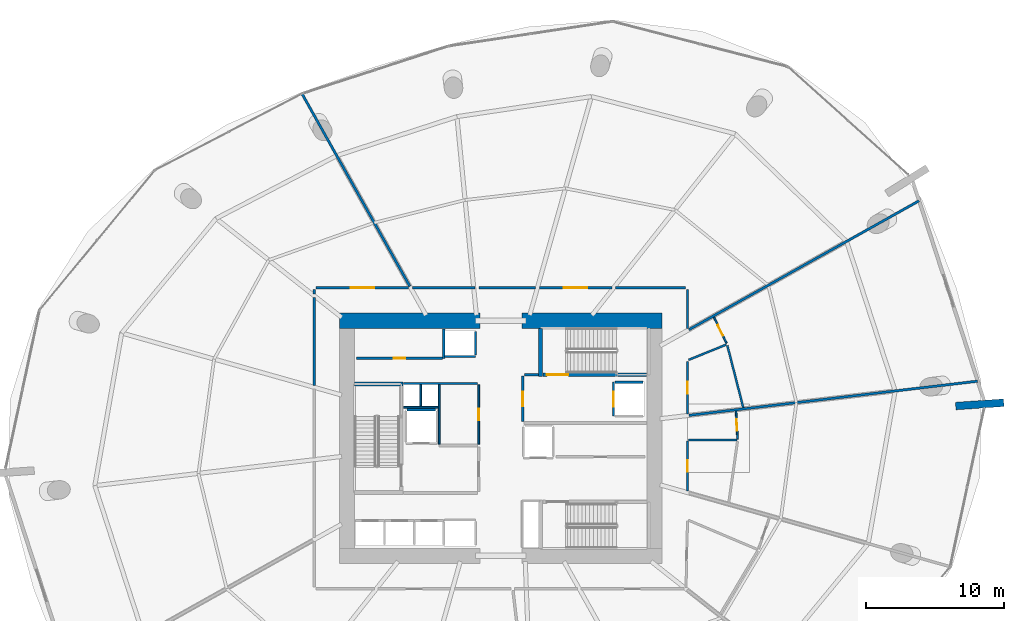
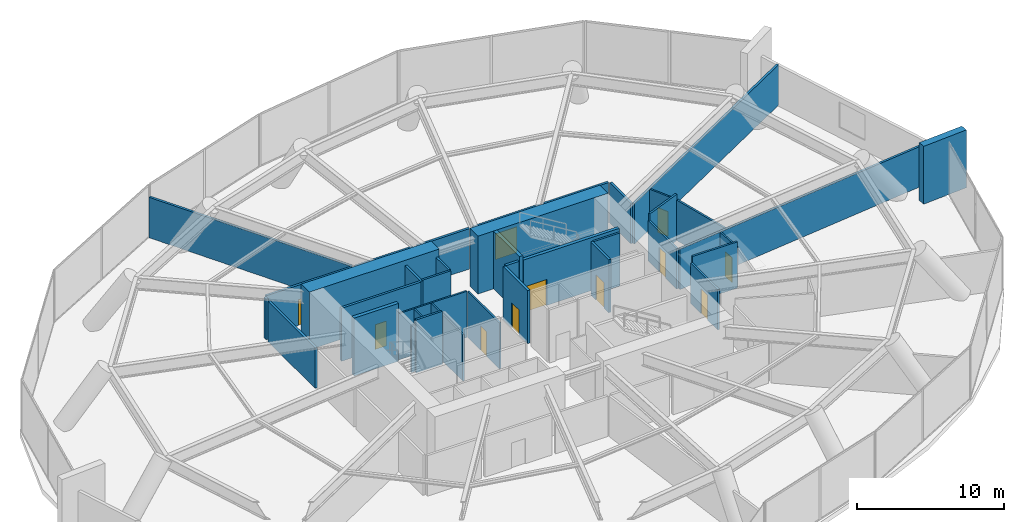
# One storey, part 18 of 21: 38 walls, 11 doors, 11 openings.
"""IFC4 building model written with IfcOpenShell, lengths in metres."""

from ifc_helpers import new_model, si_unit, direction, frame, frame_2d, origin, place, context, subcontext, project, spatial, rectangle, extrude, material, layer, layer_set, type_object, element, fill, save


model = new_model("IFC4")

# Units and contexts
model_context = context("Model", 3, precision=1e-05, world=origin(), true_north=direction((0.0, 1.0)))
body_context = subcontext(model_context, "Body", "Model", "MODEL_VIEW")
ifc_project = project(units=[si_unit("LENGTHUNIT", "METRE"), si_unit("AREAUNIT", "SQUARE_METRE"), si_unit("VOLUMEUNIT", "CUBIC_METRE"), si_unit("PLANEANGLEUNIT", "RADIAN"), si_unit("MASSUNIT", "GRAM", prefix="KILO")], contexts=[model_context])

# Site, building, storey
site_placement = place(None, origin())
site = spatial("IfcSite", under=ifc_project, at=site_placement, CompositionType="ELEMENT")
building_placement = place(site_placement, origin())
building = spatial("IfcBuilding", under=site, at=building_placement, Name="Kazma Halo Residences", CompositionType="ELEMENT")
storey_placement = place(building_placement, frame((0.0, 0.0, 21.60009765625)))
storey = spatial("IfcBuildingStorey", under=building, at=storey_placement, Name="L04", CompositionType="ELEMENT", Elevation=21.60009765625)

# Walls
ifc_material_1 = material(Name="Pale Concrete C60/75", Category="concrete")
ifc_layer_1 = layer(ifc_material_1, 0.550048828125)
ifc_layer_set_1 = layer_set([ifc_layer_1], Name="Pale Concrete C60/75")
wall_type_1 = type_object("IfcWallType", Name="WL-BLADE-550", PredefinedType="SOLIDWALL", material=ifc_layer_set_1)
wall_1_placement = place(storey_placement, frame((81.502685546875, 44.3427734375, 0.0), z_axis=(0.0, 0.0, 1.0), x_axis=(0.997564163539, 0.069754853754, 0.0)))
element("IfcWall", 1, at=wall_1_placement, inside=storey, type_object=wall_type_1, Name="L04 pale concrete structural blade fin wall BW-04", PredefinedType="SOLIDWALL", context=body_context, shape_type="SweptSolid", body=[
    extrude(rectangle(XDim=3.5, YDim=0.550048828125, at=frame_2d((1.75, 0.0))), origin(), (0.0, 0.0, 1.0), 4.7998046875),
])
ifc_material_2 = material(Name="Concrete C80/95", Category="concrete")
ifc_layer_2 = layer(ifc_material_2, 1.10009765625)
ifc_layer_set_2 = layer_set([ifc_layer_2], Name="Concrete C80/95")
wall_type_2 = type_object("IfcWallType", Name="WL-CORE-1100", PredefinedType="SHEAR", material=ifc_layer_set_2)
for number, where, z_axis, x_axis, name in (
    (2, (36.699951171875, 50.550048828125, 0.0), (0.0, 0.0, 1.0), (1.0, 0.0, 0.0), "L04 central core shear wall NW"),
    (3, (49.949951171875, 50.550048828125, 0.0), (0.0, 0.0, 1.0), (1.0, 0.0, 0.0), "L04 central core shear wall NE"),
):
    element("IfcWall", number, at=place(storey_placement, frame(where, z_axis=z_axis, x_axis=x_axis)), inside=storey, type_object=wall_type_2, Name=name, PredefinedType="SHEAR", context=body_context, shape_type="SweptSolid", body=[
        extrude(rectangle(XDim=10.199951171875, YDim=1.10009765625, at=frame_2d((5.10009765625, 0.0))), origin(), (0.0, 0.0, 1.0), 4.7998046875),
    ])
ifc_material_3 = material(Name="Concrete C60/75", Category="concrete")
ifc_layer_3 = layer(ifc_material_3, 0.280029296875)
ifc_layer_set_3 = layer_set([ifc_layer_3], Name="Concrete C60/75")
wall_type_3 = type_object("IfcWallType", Name="WL-CORE-ST-280", PredefinedType="SHEAR", material=ifc_layer_set_3)
for number, where, z_axis, x_axis, name in (
    (4, (37.800048828125, 45.93994140625, 0.0), (0.0, 0.0, 1.0), (1.0, 0.0, 0.0), "L04 stairwell bearing wall ST01-N"),
    (5, (51.31005859375, 46.5, 0.0), (0.0, 0.0, 1.0), (0.0, 1.0, 0.0), "L04 stairwell bearing wall ST02-W"),
):
    element("IfcWall", number, at=place(storey_placement, frame(where, z_axis=z_axis, x_axis=x_axis)), inside=storey, type_object=wall_type_3, Name=name, PredefinedType="SHEAR", context=body_context, shape_type="SweptSolid", body=[
        extrude(rectangle(XDim=3.5, YDim=0.280029296875, at=frame_2d((1.75, 0.0))), origin(), (0.0, 0.0, 1.0), 4.7998046875),
    ])
ifc_material_4 = material(Name="Acoustic Twin-Stud Gypsum")
ifc_layer_4 = layer(ifc_material_4, 0.179931640625)
ifc_layer_set_4 = layer_set([ifc_layer_4], Name="Acoustic Twin-Stud Gypsum")
wall_type_4 = type_object("IfcWallType", Name="WL-DEM-180", PredefinedType="PARTITIONING", material=ifc_layer_set_4)
wall_2_placement = place(storey_placement, frame((62.0, 49.98046875, 0.0), z_axis=(0.0, 0.0, 1.0), x_axis=(0.0, 1.0, 0.0)))
element("IfcWall", 6, at=wall_2_placement, inside=storey, type_object=wall_type_4, Name="L04 Library Reading Lounge corridor wall", PredefinedType="PARTITIONING", context=body_context, shape_type="SweptSolid", body=[
    extrude(rectangle(XDim=2.82958984375, YDim=0.179931640625, at=frame_2d((1.414794921875, 0.0))), origin(), (0.0, 0.0, 1.0), 3.35693359375),
])
wall_3_placement = place(storey_placement, frame((61.860107421875, 52.949951171875, 0.0), z_axis=(0.0, 0.0, 1.0), x_axis=(-1.0, 0.0, 0.0)))
element("IfcWall", 7, at=wall_3_placement, inside=storey, type_object=wall_type_4, Name="L04 Library Reading Lounge corridor wall", PredefinedType="PARTITIONING", context=body_context, shape_type="SweptSolid", body=[
    extrude(rectangle(XDim=5.087890625, YDim=0.179931640625, at=frame_2d((2.5439453125, 0.0))), origin(), (0.0, 0.0, 1.0), 3.35693359375),
])

# Wall, opening, door
wall_4_placement = place(storey_placement, frame((56.4921875, 52.949951171875, 0.0), z_axis=(0.0, 0.0, 1.0), x_axis=(-1.0, 0.0, 0.0)))
wall_4 = element("IfcWall", 8, at=wall_4_placement, inside=storey, type_object=wall_type_4, Name="L04 Library Reading Lounge corridor wall", PredefinedType="PARTITIONING", context=body_context, shape_type="SweptSolid", body=[
    extrude(rectangle(XDim=5.263916015625, YDim=0.179931640625, at=frame_2d((2.6318359375, 0.0))), origin(), (0.0, 0.0, 1.0), 3.35693359375),
])
opening_1_placement = place(wall_4_placement, frame((1.781982421875, 0.0, 0.0)))
opening_1 = element("IfcOpeningElement", 9, at=opening_1_placement, cuts=wall_4, Name="Opening DL-1800", PredefinedType="OPENING", context=body_context, shape_type="SweptSolid", body=[
    extrude(rectangle(XDim=1.699951171875, YDim=2.14990234375, at=frame_2d((0.85009765625, 1.074951171875))), frame((0.0, 0.099853515625, 0.0), z_axis=(0.0, -1.0, 0.0), x_axis=(1.0, 0.0, 0.0)), (0.0, 0.0, 1.0), 0.199951171875),
])
ifc_material_5 = material(Name="Glazed Aluminium Double Leaf", Category="aluminium")
door_type_1 = type_object("IfcDoorType", Name="DR-LGE-1800", OperationType="NOTDEFINED", PredefinedType="DOOR", material=ifc_material_5)
door_1_placement = place(opening_1_placement, origin())
door_1 = element("IfcDoor", 10, at=door_1_placement, inside=storey, type_object=door_type_1, Name="L04 Library Reading Lounge entrance door", OperationType="DOUBLE_DOOR_SINGLE_SWING", OverallHeight=2.14990234375, OverallWidth=1.699951171875, PredefinedType="DOOR", context=body_context, shape_type="SweptSolid", body=[
    extrude(rectangle(XDim=1.699951171875, YDim=2.14990234375, at=frame_2d((0.85009765625, 1.074951171875))), frame((0.0, 0.02490234375, 0.0), z_axis=(0.0, -1.0, 0.0), x_axis=(1.0, 0.0, 0.0)), (0.0, 0.0, 1.0), 0.050048828125),
])
fill(opening_1, door_1)

# Walls
wall_5_placement = place(storey_placement, frame((50.9482421875, 52.949951171875, 0.0), z_axis=(0.0, 0.0, 1.0), x_axis=(-1.0, 0.0, 0.0)))
element("IfcWall", 11, at=wall_5_placement, inside=storey, type_object=wall_type_4, Name="L04 Library Reading Lounge corridor wall", PredefinedType="PARTITIONING", context=body_context, shape_type="SweptSolid", body=[
    extrude(rectangle(XDim=4.104248046875, YDim=0.179931640625, at=frame_2d((2.05224609375, 0.0))), origin(), (0.0, 0.0, 1.0), 3.35693359375),
])
wall_6_placement = place(storey_placement, frame((46.56396484375, 52.949951171875, 0.0), z_axis=(0.0, 0.0, 1.0), x_axis=(-1.0, 0.0, 0.0)))
element("IfcWall", 12, at=wall_6_placement, inside=storey, type_object=wall_type_4, Name="L04 Library Reading Lounge corridor wall", PredefinedType="PARTITIONING", context=body_context, shape_type="SweptSolid", body=[
    extrude(rectangle(XDim=4.55615234375, YDim=0.179931640625, at=frame_2d((2.278076171875, 0.0))), origin(), (0.0, 0.0, 1.0), 3.35693359375),
])
wall_7_placement = place(storey_placement, frame((62.095947265625, 49.89404296875, 0.0), z_axis=(0.0, 0.0, 1.0), x_axis=(0.872490608205, 0.488630881744, 0.0)))
element("IfcWall", 13, at=wall_7_placement, inside=storey, type_object=wall_type_4, Name="L04 radial partition wall 00", PredefinedType="PARTITIONING", context=body_context, shape_type="SweptSolid", body=[
    extrude(rectangle(XDim=19.184814453125, YDim=0.179931640625, at=frame_2d((9.59228515625, 0.0))), origin(), (0.0, 0.0, 1.0), 3.35693359375),
])
wall_8_placement = place(storey_placement, frame((41.81396484375, 53.0458984375, 0.0), z_axis=(0.0, 0.0, 1.0), x_axis=(-0.48862053439, 0.872496403071, 0.0)))
element("IfcWall", 14, at=wall_8_placement, inside=storey, type_object=wall_type_4, Name="L04 radial partition wall 04", PredefinedType="PARTITIONING", context=body_context, shape_type="SweptSolid", body=[
    extrude(rectangle(XDim=16.0244140625, YDim=0.179931640625, at=frame_2d((8.01220703125, 0.0))), origin(), (0.0, 0.0, 1.0), 3.35693359375),
])

# Wall, opening, door
wall_9_placement = place(storey_placement, frame((41.727783203125, 52.949951171875, 0.0), z_axis=(0.0, 0.0, 1.0), x_axis=(-1.0, 0.0, 0.0)))
wall_9 = element("IfcWall", 15, at=wall_9_placement, inside=storey, type_object=wall_type_4, Name="L04 Executive Co-Working Office corridor wall", PredefinedType="PARTITIONING", context=body_context, shape_type="SweptSolid", body=[
    extrude(rectangle(XDim=6.73779296875, YDim=0.179931640625, at=frame_2d((3.368896484375, 0.0))), origin(), (0.0, 0.0, 1.0), 3.35693359375),
])
opening_2_placement = place(wall_9_placement, frame((2.518798828125, 0.0, 0.0)))
opening_2 = element("IfcOpeningElement", 16, at=opening_2_placement, cuts=wall_9, Name="Opening DL-1800", PredefinedType="OPENING", context=body_context, shape_type="SweptSolid", body=[
    extrude(rectangle(XDim=1.699951171875, YDim=2.14990234375, at=frame_2d((0.85009765625, 1.074951171875))), frame((0.0, 0.099853515625, 0.0), z_axis=(0.0, -1.0, 0.0), x_axis=(1.0, 0.0, 0.0)), (0.0, 0.0, 1.0), 0.199951171875),
])
door_2_placement = place(opening_2_placement, origin())
door_2 = element("IfcDoor", 17, at=door_2_placement, inside=storey, type_object=door_type_1, Name="L04 Executive Co-Working Office entrance door", OperationType="DOUBLE_DOOR_SINGLE_SWING", OverallHeight=2.14990234375, OverallWidth=1.699951171875, PredefinedType="DOOR", context=body_context, shape_type="SweptSolid", body=[
    extrude(rectangle(XDim=1.699951171875, YDim=2.14990234375, at=frame_2d((0.85009765625, 1.074951171875))), frame((0.0, 0.02490234375, 0.0), z_axis=(0.0, -1.0, 0.0), x_axis=(1.0, 0.0, 0.0)), (0.0, 0.0, 1.0), 0.050048828125),
])
fill(opening_2, door_2)

# Walls
wall_10_placement = place(storey_placement, frame((34.85009765625, 52.81005859375, 0.0), z_axis=(0.0, 0.0, 1.0), x_axis=(0.0, -1.0, 0.0)))
element("IfcWall", 18, at=wall_10_placement, inside=storey, type_object=wall_type_4, Name="L04 Executive Co-Working Office corridor wall", PredefinedType="PARTITIONING", context=body_context, shape_type="SweptSolid", body=[
    extrude(rectangle(XDim=0.303466796875, YDim=0.179931640625, at=frame_2d((0.15185546875, 0.0))), origin(), (0.0, 0.0, 1.0), 3.35693359375),
])
wall_11_placement = place(storey_placement, frame((34.85009765625, 52.2265625, 0.0), z_axis=(0.0, 0.0, 1.0), x_axis=(0.0, -1.0, 0.0)))
element("IfcWall", 19, at=wall_11_placement, inside=storey, type_object=wall_type_4, Name="L04 Executive Co-Working Office corridor wall", PredefinedType="PARTITIONING", context=body_context, shape_type="SweptSolid", body=[
    extrude(rectangle(XDim=6.3779296875, YDim=0.179931640625, at=frame_2d((3.18896484375, 0.0))), origin(), (0.0, 0.0, 1.0), 3.35693359375),
])
wall_12_placement = place(storey_placement, frame((62.109130859375, 43.669921875, 0.0), z_axis=(0.0, 0.0, 1.0), x_axis=(0.993068665713, 0.117535633659, 0.0)))
element("IfcWall", 20, at=wall_12_placement, inside=storey, type_object=wall_type_4, Name="L04 radial partition wall 15", PredefinedType="PARTITIONING", context=body_context, shape_type="SweptSolid", body=[
    extrude(rectangle(XDim=21.133056640625, YDim=0.179931640625, at=frame_2d((10.56640625, 0.0))), origin(), (0.0, 0.0, 1.0), 3.35693359375),
])
ifc_material_6 = material(Name="Fire-Rated Blockwork Masonry", Category="masonry")
ifc_layer_5 = layer(ifc_material_6, 0.199951171875)
ifc_layer_set_5 = layer_set([ifc_layer_5], Name="Fire-Rated Blockwork Masonry")
wall_type_5 = type_object("IfcWallType", Name="WL-FLB-200", PredefinedType="PARTITIONING", material=ifc_layer_set_5)
wall_13_placement = place(storey_placement, frame((46.580078125, 47.945068359375, 0.0), z_axis=(0.0, 0.0, 1.0), x_axis=(-1.0, 0.0, 0.0)))
element("IfcWall", 21, at=wall_13_placement, inside=storey, type_object=wall_type_5, Name="L04 lift shaft PX-01 front wall", PredefinedType="PARTITIONING", context=body_context, shape_type="SweptSolid", body=[
    extrude(rectangle(XDim=2.260009765625, YDim=0.159912109375, at=frame_2d((1.1298828125, 0.0))), origin(), (0.0, 0.0, 1.0), 4.39990234375),
])
wall_14_placement = place(storey_placement, frame((46.580078125, 48.044921875, 0.0), z_axis=(0.0, 0.0, 1.0), x_axis=(0.0, 1.0, 0.0)))
element("IfcWall", 22, at=wall_14_placement, inside=storey, type_object=wall_type_5, Name="L04 lift shaft PX-01 side wall E", PredefinedType="PARTITIONING", context=body_context, shape_type="SweptSolid", body=[
    extrude(rectangle(XDim=1.7099609375, YDim=0.159912109375, at=frame_2d((0.85498046875, 0.0))), origin(), (0.0, 0.0, 1.0), 4.39990234375),
])
wall_15_placement = place(storey_placement, frame((41.6201171875, 44.080078125, 0.0), z_axis=(0.0, 0.0, 1.0), x_axis=(1.0, 0.0, 0.0)))
element("IfcWall", 23, at=wall_15_placement, inside=storey, type_object=wall_type_5, Name="L04 lift shaft FL-01 side wall N", PredefinedType="PARTITIONING", context=body_context, shape_type="SweptSolid", body=[
    extrude(rectangle(XDim=2.059814453125, YDim=0.159912109375, at=frame_2d((1.02978515625, 0.0))), origin(), (0.0, 0.0, 1.0), 4.39990234375),
])

# Wall, opening, door
wall_16_placement = place(storey_placement, frame((56.6201171875, 46.080078125, 0.0), z_axis=(0.0, 0.0, 1.0), x_axis=(0.0, -1.0, 0.0)))
wall_16 = element("IfcWall", 24, at=wall_16_placement, inside=storey, type_object=wall_type_5, Name="L04 lift shaft FL-02 front wall", PredefinedType="PARTITIONING", context=body_context, shape_type="SweptSolid", body=[
    extrude(rectangle(XDim=2.4599609375, YDim=0.159912109375, at=frame_2d((1.22998046875, 0.0))), origin(), (0.0, 0.0, 1.0), 4.39990234375),
])
opening_3_placement = place(wall_16_placement, frame((0.679931640625, 0.0, 0.0)))
opening_3 = element("IfcOpeningElement", 25, at=opening_3_placement, cuts=wall_16, Name="Opening LD-FL-02", PredefinedType="OPENING", context=body_context, shape_type="SweptSolid", body=[
    extrude(rectangle(XDim=1.10009765625, YDim=2.10009765625, at=frame_2d((0.550048828125, 1.050048828125))), frame((0.0, 0.08984375, 0.0), z_axis=(0.0, -1.0, 0.0), x_axis=(1.0, 0.0, 0.0)), (0.0, 0.0, 1.0), 0.179931640625),
])
ifc_material_7 = material(Name="Stainless Steel Fire-Rated", Category="steel")
door_type_2 = type_object("IfcDoorType", Name="DR-LIFT-SLD-1100", OperationType="DOUBLE_DOOR_SLIDING", PredefinedType="DOOR", material=ifc_material_7)
door_3_placement = place(opening_3_placement, origin())
door_3 = element("IfcDoor", 26, at=door_3_placement, inside=storey, type_object=door_type_2, Name="L04 lift FL-02 sliding landing door", OperationType="DOUBLE_DOOR_SLIDING", OverallHeight=2.10009765625, OverallWidth=1.10009765625, PredefinedType="DOOR", context=body_context, shape_type="SweptSolid", body=[
    extrude(rectangle(XDim=1.10009765625, YDim=2.10009765625, at=frame_2d((0.550048828125, 1.050048828125))), frame((0.0, 0.02490234375, 0.0), z_axis=(0.0, -1.0, 0.0), x_axis=(1.0, 0.0, 0.0)), (0.0, 0.0, 1.0), 0.050048828125),
])
fill(opening_3, door_3)

# Wall
wall_17_placement = place(storey_placement, frame((56.719970703125, 46.080078125, 0.0), z_axis=(0.0, 0.0, 1.0), x_axis=(1.0, 0.0, 0.0)))
element("IfcWall", 27, at=wall_17_placement, inside=storey, type_object=wall_type_5, Name="L04 lift shaft FL-02 side wall N", PredefinedType="PARTITIONING", context=body_context, shape_type="SweptSolid", body=[
    extrude(rectangle(XDim=2.06005859375, YDim=0.159912109375, at=frame_2d((1.030029296875, 0.0))), origin(), (0.0, 0.0, 1.0), 4.39990234375),
])

# Wall, opening, door
wall_18_placement = place(storey_placement, frame((37.919921875, 47.820068359375, 0.0), z_axis=(0.0, 0.0, 1.0), x_axis=(1.0, 0.0, 0.0)))
wall_18 = element("IfcWall", 28, at=wall_18_placement, inside=storey, type_object=wall_type_5, Name="L04 core north reserve wall", PredefinedType="PARTITIONING", context=body_context, shape_type="SweptSolid", body=[
    extrude(rectangle(XDim=6.260009765625, YDim=0.179931640625, at=frame_2d((3.1298828125, 0.0))), origin(), (0.0, 0.0, 1.0), 4.39990234375),
])
opening_4_placement = place(wall_18_placement, frame((2.705078125, 0.0, 0.0)))
opening_4 = element("IfcOpeningElement", 29, at=opening_4_placement, cuts=wall_18, Name="Opening DS-850", PredefinedType="OPENING", context=body_context, shape_type="SweptSolid", body=[
    extrude(rectangle(XDim=0.85009765625, YDim=2.06005859375, at=frame_2d((0.425048828125, 1.030029296875))), frame((0.0, 0.099853515625, 0.0), z_axis=(0.0, -1.0, 0.0), x_axis=(1.0, 0.0, 0.0)), (0.0, 0.0, 1.0), 0.199951171875),
])
ifc_material_8 = material(Name="Painted Steel Access Leaf", Category="steel")
door_type_3 = type_object("IfcDoorType", Name="DR-SVC-850", OperationType="NOTDEFINED", PredefinedType="DOOR", material=ifc_material_8)
door_4_placement = place(opening_4_placement, origin())
door_4 = element("IfcDoor", 30, at=door_4_placement, inside=storey, type_object=door_type_3, Name="L04 core north reserve door", OperationType="SINGLE_SWING_RIGHT", OverallHeight=2.06005859375, OverallWidth=0.85009765625, PredefinedType="DOOR", context=body_context, shape_type="SweptSolid", body=[
    extrude(rectangle(XDim=0.85009765625, YDim=2.06005859375, at=frame_2d((0.425048828125, 1.030029296875))), frame((0.0, 0.02490234375, 0.0), z_axis=(0.0, -1.0, 0.0), x_axis=(1.0, 0.0, 0.0)), (0.0, 0.0, 1.0), 0.050048828125),
])
fill(opening_4, door_4)

# Walls
wall_19_placement = place(storey_placement, frame((44.280029296875, 47.820068359375, 0.0), z_axis=(0.0, 0.0, 1.0), x_axis=(0.0, 1.0, 0.0)))
element("IfcWall", 31, at=wall_19_placement, inside=storey, type_object=wall_type_5, Name="L04 PX-01 hoistway west wall", PredefinedType="PARTITIONING", context=body_context, shape_type="SweptSolid", body=[
    extrude(rectangle(XDim=2.1298828125, YDim=0.179931640625, at=frame_2d((1.06494140625, 0.0))), origin(), (0.0, 0.0, 1.0), 4.39990234375),
])
wall_20_placement = place(storey_placement, frame((50.139892578125, 46.6201171875, 0.0), z_axis=(0.0, 0.0, 1.0), x_axis=(1.0, 0.0, 0.0)))
element("IfcWall", 32, at=wall_20_placement, inside=storey, type_object=wall_type_5, Name="L04 east firefighting lobby north closure wall", PredefinedType="PARTITIONING", context=body_context, shape_type="SweptSolid", body=[
    extrude(rectangle(XDim=1.02001953125, YDim=0.199951171875, at=frame_2d((0.510009765625, 0.0))), origin(), (0.0, 0.0, 1.0), 4.39990234375),
])

# Wall, opening, door
wall_21_placement = place(storey_placement, frame((50.02001953125, 43.219970703125, 0.0), z_axis=(0.0, 0.0, 1.0), x_axis=(0.0, 1.0, 0.0)))
wall_21 = element("IfcWall", 33, at=wall_21_placement, inside=storey, type_object=wall_type_5, Name="L04 east firefighting lobby smoke wall", PredefinedType="PARTITIONING", context=body_context, shape_type="SweptSolid", body=[
    extrude(rectangle(XDim=3.300048828125, YDim=0.199951171875, at=frame_2d((1.64990234375, 0.0))), origin(), (0.0, 0.0, 1.0), 4.39990234375),
])
opening_5_placement = place(wall_21_placement, frame((1.125, 0.0, 0.0)))
opening_5 = element("IfcOpeningElement", 34, at=opening_5_placement, cuts=wall_21, Name="Opening D-FLE", PredefinedType="OPENING", context=body_context, shape_type="SweptSolid", body=[
    extrude(rectangle(XDim=1.050048828125, YDim=2.10009765625, at=frame_2d((0.52490234375, 1.050048828125))), frame((0.0, 0.10986328125, 0.0), z_axis=(0.0, -1.0, 0.0), x_axis=(1.0, 0.0, 0.0)), (0.0, 0.0, 1.0), 0.219970703125),
])
ifc_material_9 = material(Name="Fire-Rated Steel Leaf", Category="steel")
door_type_4 = type_object("IfcDoorType", Name="DR-FD90-1050", OperationType="NOTDEFINED", PredefinedType="DOOR", material=ifc_material_9)
door_5_placement = place(opening_5_placement, origin())
door_5 = element("IfcDoor", 35, at=door_5_placement, inside=storey, type_object=door_type_4, Name="L04 east firefighting lobby smoke door", OperationType="SINGLE_SWING_RIGHT", OverallHeight=2.10009765625, OverallWidth=1.050048828125, PredefinedType="DOOR", context=body_context, shape_type="SweptSolid", body=[
    extrude(rectangle(XDim=1.050048828125, YDim=2.10009765625, at=frame_2d((0.52490234375, 1.050048828125))), frame((0.0, 0.02490234375, 0.0), z_axis=(0.0, -1.0, 0.0), x_axis=(1.0, 0.0, 0.0)), (0.0, 0.0, 1.0), 0.050048828125),
])
fill(opening_5, door_5)

# Walls
ifc_material_10 = material(Name="Gypsum Plasterboard Partition")
ifc_layer_6 = layer(ifc_material_10, 0.125)
ifc_layer_set_6 = layer_set([ifc_layer_6], Name="Gypsum Plasterboard Partition")
wall_type_6 = type_object("IfcWallType", Name="WL-PART-125", PredefinedType="PARTITIONING", material=ifc_layer_set_6)
wall_22_placement = place(storey_placement, frame((41.360107421875, 45.97998046875, 0.0), z_axis=(0.0, 0.0, 1.0), x_axis=(1.0, 0.0, 0.0)))
element("IfcWall", 36, at=wall_22_placement, inside=storey, type_object=wall_type_6, Name="L04 core north riser wall", PredefinedType="PARTITIONING", context=body_context, shape_type="SweptSolid", body=[
    extrude(rectangle(XDim=5.35986328125, YDim=0.125, at=frame_2d((2.679931640625, 0.0))), origin(), (0.0, 0.0, 1.0), 3.83984375),
])
wall_23_placement = place(storey_placement, frame((41.360107421875, 44.260009765625, 0.0), z_axis=(0.0, 0.0, 1.0), x_axis=(1.0, 0.0, 0.0)))
element("IfcWall", 37, at=wall_23_placement, inside=storey, type_object=wall_type_6, Name="L04 core riser south wall", PredefinedType="PARTITIONING", context=body_context, shape_type="SweptSolid", body=[
    extrude(rectangle(XDim=2.5, YDim=0.125, at=frame_2d((1.25, 0.0))), origin(), (0.0, 0.0, 1.0), 3.83984375),
])
wall_24_placement = place(storey_placement, frame((42.60009765625, 44.35009765625, 0.0), z_axis=(0.0, 0.0, 1.0), x_axis=(0.0, 1.0, 0.0)))
element("IfcWall", 38, at=wall_24_placement, inside=storey, type_object=wall_type_6, Name="L04 core riser divider wall", PredefinedType="PARTITIONING", context=body_context, shape_type="SweptSolid", body=[
    extrude(rectangle(XDim=1.5498046875, YDim=0.125, at=frame_2d((0.77490234375, 0.0))), origin(), (0.0, 0.0, 1.0), 3.83984375),
])
wall_25_placement = place(storey_placement, frame((43.949951171875, 41.580078125, 0.0), z_axis=(0.0, 0.0, 1.0), x_axis=(0.0, 1.0, 0.0)))
element("IfcWall", 39, at=wall_25_placement, inside=storey, type_object=wall_type_6, Name="L04 core service west wall", PredefinedType="PARTITIONING", context=body_context, shape_type="SweptSolid", body=[
    extrude(rectangle(XDim=4.31982421875, YDim=0.125, at=frame_2d((2.159912109375, 0.0))), origin(), (0.0, 0.0, 1.0), 3.83984375),
])

# Wall, opening, door
wall_26_placement = place(storey_placement, frame((46.820068359375, 41.580078125, 0.0), z_axis=(0.0, 0.0, 1.0), x_axis=(0.0, 1.0, 0.0)))
wall_26 = element("IfcWall", 40, at=wall_26_placement, inside=storey, type_object=wall_type_6, Name="L04 core service room east wall", PredefinedType="PARTITIONING", context=body_context, shape_type="SweptSolid", body=[
    extrude(rectangle(XDim=4.2998046875, YDim=0.125, at=frame_2d((2.14990234375, 0.0))), origin(), (0.0, 0.0, 1.0), 3.83984375),
])
opening_6_placement = place(wall_26_placement, frame((1.72509765625, 0.0, 0.0)))
opening_6 = element("IfcOpeningElement", 41, at=opening_6_placement, cuts=wall_26, Name="Opening DS-850", PredefinedType="OPENING", context=body_context, shape_type="SweptSolid", body=[
    extrude(rectangle(XDim=0.85009765625, YDim=2.06005859375, at=frame_2d((0.425048828125, 1.030029296875))), frame((0.0, 0.072509765625, 0.0), z_axis=(0.0, -1.0, 0.0), x_axis=(1.0, 0.0, 0.0)), (0.0, 0.0, 1.0), 0.14501953125),
])
door_6_placement = place(opening_6_placement, origin())
door_6 = element("IfcDoor", 42, at=door_6_placement, inside=storey, type_object=door_type_3, Name="L04 core service room door", OperationType="SINGLE_SWING_LEFT", OverallHeight=2.06005859375, OverallWidth=0.85009765625, PredefinedType="DOOR", context=body_context, shape_type="SweptSolid", body=[
    extrude(rectangle(XDim=0.85009765625, YDim=2.06005859375, at=frame_2d((0.425048828125, 1.030029296875))), frame((0.0, 0.02490234375, 0.0), z_axis=(0.0, -1.0, 0.0), x_axis=(1.0, 0.0, 0.0)), (0.0, 0.0, 1.0), 0.050048828125),
])
fill(opening_6, door_6)

wall_27_placement = place(storey_placement, frame((65.64111328125, 41.94140625, 0.0), z_axis=(0.0, 0.0, 1.0), x_axis=(-0.054918793983, 0.998490824228, 0.0)))
wall_27 = element("IfcWall", 43, at=wall_27_placement, inside=storey, type_object=wall_type_6, Name="L04 supply store wall", PredefinedType="PARTITIONING", context=body_context, shape_type="SweptSolid", body=[
    extrude(rectangle(XDim=2.0361328125, YDim=0.125, at=frame_2d((1.01806640625, 0.0))), origin(), (0.0, 0.0, 1.0), 3.35693359375),
])
opening_7_placement = place(wall_27_placement, frame((0.593017578125, 0.0, 0.0)))
opening_7 = element("IfcOpeningElement", 44, at=opening_7_placement, cuts=wall_27, Name="Opening DS-850", PredefinedType="OPENING", context=body_context, shape_type="SweptSolid", body=[
    extrude(rectangle(XDim=0.85009765625, YDim=2.06005859375, at=frame_2d((0.425048828125, 1.030029296875))), frame((0.0, 0.072509765625, 0.0), z_axis=(0.0, -1.0, 0.0), x_axis=(1.0, 0.0, 0.0)), (0.0, 0.0, 1.0), 0.14501953125),
])
door_7_placement = place(opening_7_placement, origin())
door_7 = element("IfcDoor", 45, at=door_7_placement, inside=storey, type_object=door_type_3, Name="L04 supply store door", OperationType="SINGLE_SWING_RIGHT", OverallHeight=2.06005859375, OverallWidth=0.85009765625, PredefinedType="DOOR", context=body_context, shape_type="SweptSolid", body=[
    extrude(rectangle(XDim=0.85009765625, YDim=2.06005859375, at=frame_2d((0.425048828125, 1.030029296875))), frame((0.0, 0.02490234375, 0.0), z_axis=(0.0, -1.0, 0.0), x_axis=(1.0, 0.0, 0.0)), (0.0, 0.0, 1.0), 0.050048828125),
])
fill(opening_7, door_7)

wall_28_placement = place(storey_placement, frame((64.8388671875, 48.906494140625, 0.0), z_axis=(0.0, 0.0, 1.0), x_axis=(-0.432923235959, 0.901430791446, 0.0)))
wall_28 = element("IfcWall", 46, at=wall_28_placement, inside=storey, type_object=wall_type_6, Name="L04 supply store wall", PredefinedType="PARTITIONING", context=body_context, shape_type="SweptSolid", body=[
    extrude(rectangle(XDim=2.106201171875, YDim=0.125, at=frame_2d((1.05322265625, 0.0))), origin(), (0.0, 0.0, 1.0), 3.35693359375),
])
opening_8_placement = place(wall_28_placement, frame((0.628173828125, 0.0, 0.0)))
opening_8 = element("IfcOpeningElement", 47, at=opening_8_placement, cuts=wall_28, Name="Opening DS-850", PredefinedType="OPENING", context=body_context, shape_type="SweptSolid", body=[
    extrude(rectangle(XDim=0.85009765625, YDim=2.06005859375, at=frame_2d((0.425048828125, 1.030029296875))), frame((0.0, 0.072509765625, 0.0), z_axis=(0.0, -1.0, 0.0), x_axis=(1.0, 0.0, 0.0)), (0.0, 0.0, 1.0), 0.14501953125),
])
door_8_placement = place(opening_8_placement, origin())
door_8 = element("IfcDoor", 48, at=door_8_placement, inside=storey, type_object=door_type_3, Name="L04 supply store door", OperationType="SINGLE_SWING_LEFT", OverallHeight=2.06005859375, OverallWidth=0.85009765625, PredefinedType="DOOR", context=body_context, shape_type="SweptSolid", body=[
    extrude(rectangle(XDim=0.85009765625, YDim=2.06005859375, at=frame_2d((0.425048828125, 1.030029296875))), frame((0.0, 0.02490234375, 0.0), z_axis=(0.0, -1.0, 0.0), x_axis=(1.0, 0.0, 0.0)), (0.0, 0.0, 1.0), 0.050048828125),
])
fill(opening_8, door_8)

ifc_material_11 = material(Name="Concrete C50/60", Category="concrete")
ifc_layer_7 = layer(ifc_material_11, 0.25)
ifc_layer_set_7 = layer_set([ifc_layer_7], Name="Concrete C50/60")
wall_type_7 = type_object("IfcWallType", Name="WL-SHF-250", PredefinedType="SOLIDWALL", material=ifc_layer_set_7)
wall_29_placement = place(storey_placement, frame((51.47998046875, 46.6201171875, 0.0), z_axis=(0.0, 0.0, 1.0), x_axis=(1.0, 0.0, 0.0)))
wall_29 = element("IfcWall", 49, at=wall_29_placement, inside=storey, type_object=wall_type_7, Name="L04 exit stair ST-02 enclosure wall", PredefinedType="SOLIDWALL", context=body_context, shape_type="SweptSolid", body=[
    extrude(rectangle(XDim=7.5400390625, YDim=0.25, at=frame_2d((3.77001953125, 0.0))), origin(), (0.0, 0.0, 1.0), 4.39990234375),
])
opening_9_placement = place(wall_29_placement, frame((0.300048828125, 0.0, 0.0)))
opening_9 = element("IfcOpeningElement", 50, at=opening_9_placement, cuts=wall_29, Name="Opening D-ST2", PredefinedType="OPENING", context=body_context, shape_type="SweptSolid", body=[
    extrude(rectangle(XDim=1.550048828125, YDim=2.14990234375, at=frame_2d((0.77490234375, 1.074951171875))), frame((0.0, 0.135009765625, 0.0), z_axis=(0.0, -1.0, 0.0), x_axis=(1.0, 0.0, 0.0)), (0.0, 0.0, 1.0), 0.27001953125),
])
ifc_material_12 = material(Name="Fire-Rated Double Steel Leaf", Category="steel")
door_type_5 = type_object("IfcDoorType", Name="DR-FD90-1550", OperationType="NOTDEFINED", PredefinedType="DOOR", material=ifc_material_12)
door_9_placement = place(opening_9_placement, origin())
door_9 = element("IfcDoor", 51, at=door_9_placement, inside=storey, type_object=door_type_5, Name="L04 exit stair ST-02 fire door", OperationType="DOUBLE_DOOR_SINGLE_SWING", OverallHeight=2.14990234375, OverallWidth=1.550048828125, PredefinedType="DOOR", context=body_context, shape_type="SweptSolid", body=[
    extrude(rectangle(XDim=1.550048828125, YDim=2.14990234375, at=frame_2d((0.77490234375, 1.074951171875))), frame((0.0, 0.02490234375, 0.0), z_axis=(0.0, -1.0, 0.0), x_axis=(1.0, 0.0, 0.0)), (0.0, 0.0, 1.0), 0.050048828125),
])
fill(opening_9, door_9)

ifc_material_13 = material(Name="Moisture-Resistant Gypsum")
ifc_layer_8 = layer(ifc_material_13, 0.14990234375)
ifc_layer_set_8 = layer_set([ifc_layer_8], Name="Moisture-Resistant Gypsum")
wall_type_8 = type_object("IfcWallType", Name="WL-WET-150", PredefinedType="PARTITIONING", material=ifc_layer_set_8)
wall_30_placement = place(storey_placement, frame((62.0, 38.151611328125, 0.0), z_axis=(0.0, 0.0, 1.0), x_axis=(0.0, 1.0, 0.0)))
wall_30 = element("IfcWall", 52, at=wall_30_placement, inside=storey, type_object=wall_type_8, Name="L04 Lounge Female WC corridor wall", PredefinedType="PARTITIONING", context=body_context, shape_type="SweptSolid", body=[
    extrude(rectangle(XDim=3.658447265625, YDim=0.14990234375, at=frame_2d((1.8291015625, 0.0))), origin(), (0.0, 0.0, 1.0), 3.35693359375),
])
opening_10_placement = place(wall_30_placement, frame((1.404296875, 0.0, 0.0)))
opening_10 = element("IfcOpeningElement", 53, at=opening_10_placement, cuts=wall_30, Name="Opening DB-900", PredefinedType="OPENING", context=body_context, shape_type="SweptSolid", body=[
    extrude(rectangle(XDim=0.85009765625, YDim=2.06005859375, at=frame_2d((0.425048828125, 1.030029296875))), frame((0.0, 0.0849609375, 0.0), z_axis=(0.0, -1.0, 0.0), x_axis=(1.0, 0.0, 0.0)), (0.0, 0.0, 1.0), 0.169921875),
])
ifc_material_14 = material(Name="Moisture-Sealed Timber Leaf", Category="wood")
door_type_6 = type_object("IfcDoorType", Name="DR-BTH-900", OperationType="NOTDEFINED", PredefinedType="DOOR", material=ifc_material_14)
door_10_placement = place(opening_10_placement, origin())
door_10 = element("IfcDoor", 54, at=door_10_placement, inside=storey, type_object=door_type_6, Name="L04 Lounge Female WC door", OperationType="SINGLE_SWING_LEFT", OverallHeight=2.06005859375, OverallWidth=0.85009765625, PredefinedType="DOOR", context=body_context, shape_type="SweptSolid", body=[
    extrude(rectangle(XDim=0.85009765625, YDim=2.06005859375, at=frame_2d((0.425048828125, 1.030029296875))), frame((0.0, 0.02490234375, 0.0), z_axis=(0.0, -1.0, 0.0), x_axis=(1.0, 0.0, 0.0)), (0.0, 0.0, 1.0), 0.050048828125),
])
fill(opening_10, door_10)

# Wall
wall_31_placement = place(storey_placement, frame((62.080078125, 41.889404296875, 0.0), z_axis=(0.0, 0.0, 1.0), x_axis=(0.999969031596, -0.007869933178, 0.0)))
element("IfcWall", 55, at=wall_31_placement, inside=storey, type_object=wall_type_8, Name="L04 Lounge Female WC side wall", PredefinedType="PARTITIONING", context=body_context, shape_type="SweptSolid", body=[
    extrude(rectangle(XDim=3.50537109375, YDim=0.14990234375, at=frame_2d((1.752685546875, 0.0))), origin(), (0.0, 0.0, 1.0), 3.83984375),
])

# Wall, opening, door
wall_32_placement = place(storey_placement, frame((62.0, 43.757080078125, 0.0), z_axis=(0.0, 0.0, 1.0), x_axis=(0.0, 1.0, 0.0)))
wall_32 = element("IfcWall", 56, at=wall_32_placement, inside=storey, type_object=wall_type_8, Name="L04 Lounge Accessible WC corridor wall", PredefinedType="PARTITIONING", context=body_context, shape_type="SweptSolid", body=[
    extrude(rectangle(XDim=3.83349609375, YDim=0.14990234375, at=frame_2d((1.916748046875, 0.0))), origin(), (0.0, 0.0, 1.0), 3.35693359375),
])
opening_11_placement = place(wall_32_placement, frame((1.49169921875, 0.0, 0.0)))
opening_11 = element("IfcOpeningElement", 57, at=opening_11_placement, cuts=wall_32, Name="Opening DB-900", PredefinedType="OPENING", context=body_context, shape_type="SweptSolid", body=[
    extrude(rectangle(XDim=0.85009765625, YDim=2.06005859375, at=frame_2d((0.425048828125, 1.030029296875))), frame((0.0, 0.0849609375, 0.0), z_axis=(0.0, -1.0, 0.0), x_axis=(1.0, 0.0, 0.0)), (0.0, 0.0, 1.0), 0.169921875),
])
door_11_placement = place(opening_11_placement, origin())
door_11 = element("IfcDoor", 58, at=door_11_placement, inside=storey, type_object=door_type_6, Name="L04 Lounge Accessible WC door", OperationType="SINGLE_SWING_RIGHT", OverallHeight=2.06005859375, OverallWidth=0.85009765625, PredefinedType="DOOR", context=body_context, shape_type="SweptSolid", body=[
    extrude(rectangle(XDim=0.85009765625, YDim=2.06005859375, at=frame_2d((0.425048828125, 1.030029296875))), frame((0.0, 0.02490234375, 0.0), z_axis=(0.0, -1.0, 0.0), x_axis=(1.0, 0.0, 0.0)), (0.0, 0.0, 1.0), 0.050048828125),
])
fill(opening_11, door_11)

# Walls
wall_33_placement = place(storey_placement, frame((62.07421875, 47.70068359375, 0.0), z_axis=(0.0, 0.0, 1.0), x_axis=(0.926852538468, 0.375425587747, 0.0)))
element("IfcWall", 59, at=wall_33_placement, inside=storey, type_object=wall_type_8, Name="L04 Lounge Accessible WC side wall", PredefinedType="PARTITIONING", context=body_context, shape_type="SweptSolid", body=[
    extrude(rectangle(XDim=2.960205078125, YDim=0.14990234375, at=frame_2d((1.47998046875, 0.0))), origin(), (0.0, 0.0, 1.0), 3.83984375),
])
wall_34_placement = place(storey_placement, frame((66.053955078125, 44.23681640625, 0.0), z_axis=(0.0, 0.0, 1.0), x_axis=(-0.248710144761, 0.968577959636, 0.0)))
element("IfcWall", 60, at=wall_34_placement, inside=storey, type_object=wall_type_8, Name="L04 Lounge Accessible WC back wall", PredefinedType="PARTITIONING", context=body_context, shape_type="SweptSolid", body=[
    extrude(rectangle(XDim=4.666748046875, YDim=0.14990234375, at=frame_2d((2.33349609375, 0.0))), origin(), (0.0, 0.0, 1.0), 3.35693359375),
])

save(model, "model.ifc")
